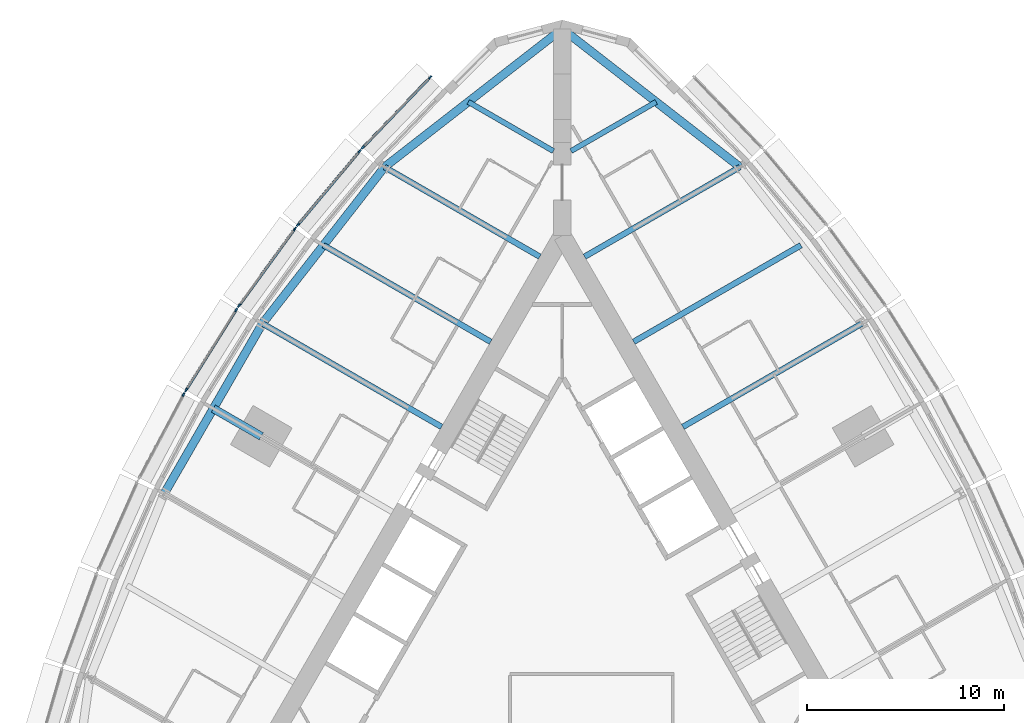
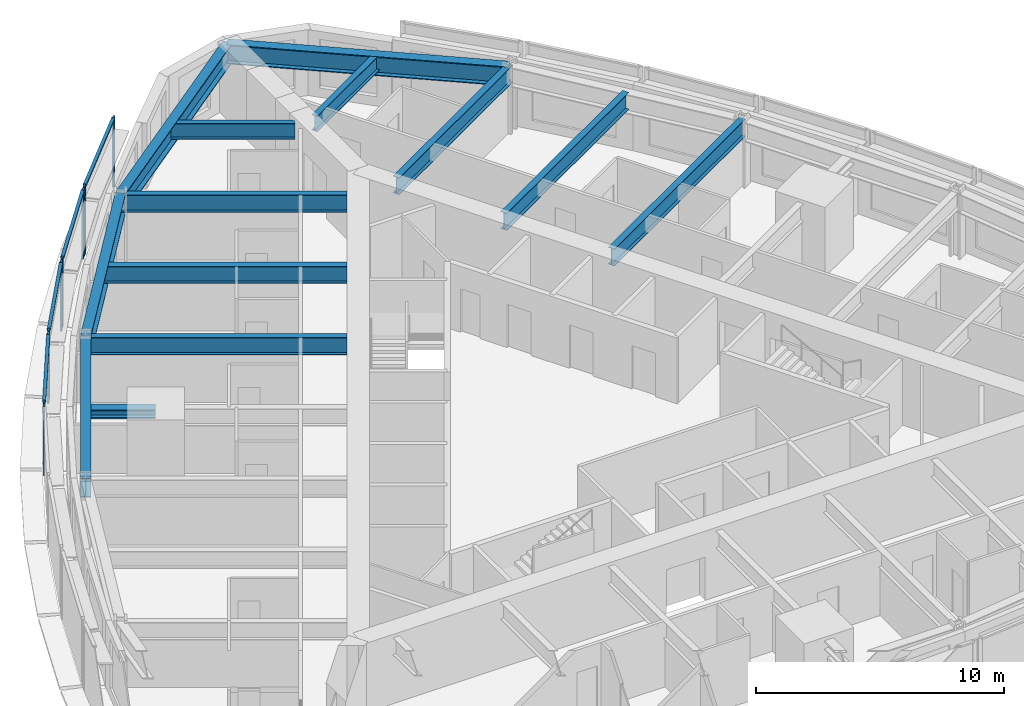
# One storey, part 4 of 14: 13 beams, 13 members, 5 elements without a shape of their own.
"""IFC4 building model written with IfcOpenShell, lengths in metres."""

from ifc_helpers import new_model, si_unit, direction, frame, origin, origin_2d, place, context, subcontext, project, spatial, rectangle, i_section, extrude, material, material_profile, profile_set, type_object, element, aggregate, save


model = new_model("IFC4")

# Units and contexts
model_context = context("Model", 3, precision=1e-05, world=origin(), true_north=direction((0.0, 1.0)))
body_context = subcontext(model_context, "Body", "Model", "MODEL_VIEW")
ifc_project = project(units=[si_unit("LENGTHUNIT", "METRE"), si_unit("AREAUNIT", "SQUARE_METRE"), si_unit("VOLUMEUNIT", "CUBIC_METRE"), si_unit("PLANEANGLEUNIT", "RADIAN"), si_unit("MASSUNIT", "GRAM", prefix="KILO")], contexts=[model_context])

# Site, building, storey
site_placement = place(None, origin())
site = spatial("IfcSite", under=ifc_project, at=site_placement, CompositionType="ELEMENT")
building_placement = place(site_placement, origin())
building = spatial("IfcBuilding", under=site, at=building_placement, Name="Trikona Tower", CompositionType="ELEMENT")
storey_placement = place(building_placement, frame((0.0, 0.0, 124.89990234375)))
storey = spatial("IfcBuildingStorey", under=building, at=storey_placement, Name="L32", CompositionType="ELEMENT", Elevation=124.89990234375)

# Curtain wall, members
ifc_material_1 = material(Name="Aluminium curtain wall system", Category="aluminium")
curtain_wall_type = type_object("IfcCurtainWallType", Name="Curtain wall DS2", PredefinedType="NOTDEFINED", material=ifc_material_1)
curtain_wall_1_placement = place(storey_placement, origin())
curtain_wall_1 = element("IfcCurtainWall", 1, at=curtain_wall_1_placement, inside=storey, type_object=curtain_wall_type, Name="Curtain wall DS2 L32", PredefinedType="NOTDEFINED")
ifc_material_2 = material(Name="Aluminium mullion, pale anodised", Category="aluminium")
ifc_material_profile_1 = material_profile(ifc_material_2, rectangle(XDim=0.080078125, YDim=0.199951171875, at=origin_2d()), Name="MUL-DS2")
ifc_profile_set_1 = profile_set([ifc_material_profile_1], Name="Aluminium mullion, pale anodised")
member_type_1 = type_object("IfcMemberType", Name="Mullion DS2 80x200", PredefinedType="MULLION", material=ifc_profile_set_1)
member_1_placement = place(storey_placement, frame((-6.718994140625, 27.1083984375, 0.0), z_axis=(0.0, 0.0, 1.0), x_axis=(0.722158330767, -0.691727797117, 0.0)))
member_1 = element("IfcMember", 2, at=member_1_placement, type_object=member_type_1, Name="CW-DS2 mullion 1", PredefinedType="MULLION", context=body_context, shape_type="SweptSolid", body=[
    extrude(rectangle(XDim=0.080078125, YDim=0.199951171875, at=origin_2d()), origin(), (0.0, 0.0, 1.0), 3.400146484375),
])
member_2_placement = place(storey_placement, frame((-10.1416015625, 23.535400390625, 0.0), z_axis=(0.0, 0.0, 1.0), x_axis=(0.722158330767, -0.691727797117, 0.0)))
member_2 = element("IfcMember", 3, at=member_2_placement, type_object=member_type_1, Name="CW-DS2 mullion 2", PredefinedType="MULLION", context=body_context, shape_type="SweptSolid", body=[
    extrude(rectangle(XDim=0.080078125, YDim=0.199951171875, at=origin_2d()), origin(), (0.0, 0.0, 1.0), 3.400146484375),
])

curtain_wall_2_placement = place(storey_placement, origin())
curtain_wall_2 = element("IfcCurtainWall", 4, at=curtain_wall_2_placement, inside=storey, type_object=curtain_wall_type, Name="Curtain wall DS2 L32", PredefinedType="NOTDEFINED")
member_3_placement = place(storey_placement, frame((-10.315185546875, 23.34130859375, 0.0), z_axis=(0.0, 0.0, 1.0), x_axis=(0.766866678271, -0.641806433248, 0.0)))
member_3 = element("IfcMember", 5, at=member_3_placement, type_object=member_type_1, Name="CW-DS2 mullion 1", PredefinedType="MULLION", context=body_context, shape_type="SweptSolid", body=[
    extrude(rectangle(XDim=0.080078125, YDim=0.199951171875, at=origin_2d()), origin(), (0.0, 0.0, 1.0), 3.400146484375),
])
member_4_placement = place(storey_placement, frame((-13.44482421875, 19.602294921875, 0.0), z_axis=(0.0, 0.0, 1.0), x_axis=(0.766866678271, -0.641806433248, 0.0)))
member_4 = element("IfcMember", 6, at=member_4_placement, type_object=member_type_1, Name="CW-DS2 mullion 2", PredefinedType="MULLION", context=body_context, shape_type="SweptSolid", body=[
    extrude(rectangle(XDim=0.080078125, YDim=0.199951171875, at=origin_2d()), origin(), (0.0, 0.0, 1.0), 3.400146484375),
])

curtain_wall_3_placement = place(storey_placement, origin())
curtain_wall_3 = element("IfcCurtainWall", 7, at=curtain_wall_3_placement, inside=storey, type_object=curtain_wall_type, Name="Curtain wall DS2 L32", PredefinedType="NOTDEFINED")
member_5_placement = place(storey_placement, frame((-13.605712890625, 19.39599609375, 0.0), z_axis=(0.0, 0.0, 1.0), x_axis=(0.80908576332, -0.587690588313, 0.0)))
member_5 = element("IfcMember", 8, at=member_5_placement, type_object=member_type_1, Name="CW-DS2 mullion 1", PredefinedType="MULLION", context=body_context, shape_type="SweptSolid", body=[
    extrude(rectangle(XDim=0.080078125, YDim=0.199951171875, at=origin_2d()), origin(), (0.0, 0.0, 1.0), 3.400146484375),
])
member_6_placement = place(storey_placement, frame((-16.442626953125, 15.489990234375, 0.0), z_axis=(0.0, 0.0, 1.0), x_axis=(0.80908576332, -0.587690588313, 0.0)))
member_6 = element("IfcMember", 9, at=member_6_placement, type_object=member_type_1, Name="CW-DS2 mullion 2", PredefinedType="MULLION", context=body_context, shape_type="SweptSolid", body=[
    extrude(rectangle(XDim=0.080078125, YDim=0.199951171875, at=origin_2d()), origin(), (0.0, 0.0, 1.0), 3.400146484375),
])

curtain_wall_4_placement = place(storey_placement, origin())
curtain_wall_4 = element("IfcCurtainWall", 10, at=curtain_wall_4_placement, inside=storey, type_object=curtain_wall_type, Name="Curtain wall DS2 L32", PredefinedType="NOTDEFINED")
member_7_placement = place(storey_placement, frame((-16.589599609375, 15.2724609375, 0.0), z_axis=(0.0, 0.0, 1.0), x_axis=(0.847998304006, -0.529998940002, 0.0)))
member_7 = element("IfcMember", 11, at=member_7_placement, type_object=member_type_1, Name="CW-DS2 mullion 1", PredefinedType="MULLION", context=body_context, shape_type="SweptSolid", body=[
    extrude(rectangle(XDim=0.080078125, YDim=0.199951171875, at=origin_2d()), origin(), (0.0, 0.0, 1.0), 3.400146484375),
])
member_8_placement = place(storey_placement, frame((-19.135009765625, 11.199462890625, 0.0), z_axis=(0.0, 0.0, 1.0), x_axis=(0.847998304006, -0.529998940002, 0.0)))
member_8 = element("IfcMember", 12, at=member_8_placement, type_object=member_type_1, Name="CW-DS2 mullion 2", PredefinedType="MULLION", context=body_context, shape_type="SweptSolid", body=[
    extrude(rectangle(XDim=0.080078125, YDim=0.199951171875, at=origin_2d()), origin(), (0.0, 0.0, 1.0), 3.400146484375),
])

# Curtain wall, member
curtain_wall_5_placement = place(storey_placement, origin())
curtain_wall_5 = element("IfcCurtainWall", 13, at=curtain_wall_5_placement, inside=storey, type_object=curtain_wall_type, Name="Curtain wall DS2 L32", PredefinedType="NOTDEFINED")
member_9_placement = place(storey_placement, frame((-19.2666015625, 10.9716796875, 0.0), z_axis=(0.0, 0.0, 1.0), x_axis=(0.882996107343, -0.469380308937, 0.0)))
member_9 = element("IfcMember", 14, at=member_9_placement, type_object=member_type_1, Name="CW-DS2 mullion 1", PredefinedType="MULLION", context=body_context, shape_type="SweptSolid", body=[
    extrude(rectangle(XDim=0.080078125, YDim=0.199951171875, at=origin_2d()), origin(), (0.0, 0.0, 1.0), 3.400146484375),
])
aggregate(curtain_wall_5, [member_9])

# Beams
ifc_material_3 = material(Name="Steel ASTM A992 Grade 50", Category="steel")
ifc_material_profile_2 = material_profile(ifc_material_3, i_section(OverallWidth=0.419189453125, OverallDepth=0.45458984375, WebThickness=0.042236328125, FlangeThickness=0.067626953125, at=origin_2d()), Name="W14X370")
ifc_profile_set_2 = profile_set([ifc_material_profile_2], Name="Steel ASTM A992 Grade 50")
beam_type_1 = type_object("IfcBeamType", Name="Steel beam W14x370 (apex bracket)", PredefinedType="BEAM", material=ifc_profile_set_2)
beam_1_placement = place(storey_placement, frame((-15.311767578125, 8.84033203125, 3.0078125), z_axis=(-0.86605005072, 0.499957307824, 0.0), x_axis=(-0.499957307824, -0.86605005072, 0.0)))
element("IfcBeam", 15, at=beam_1_placement, inside=storey, type_object=beam_type_1, Name="Cantilever bracket L33 F3", PredefinedType="BEAM", context=body_context, shape_type="SweptSolid", body=[
    extrude(i_section(OverallWidth=0.419189453125, OverallDepth=0.45458984375, WebThickness=0.042236328125, FlangeThickness=0.067626953125, at=origin_2d()), origin(), (0.0, 0.0, 1.0), 2.819580078125),
])
ifc_material_4 = material(Name="Steel ASTM A992 Grade 50", Category="steel")
ifc_material_profile_3 = material_profile(ifc_material_4, i_section(OverallWidth=0.2666015625, OverallDepth=0.76953125, WebThickness=0.015625, FlangeThickness=0.025390625, at=origin_2d()), Name="W30X132")
ifc_profile_set_3 = profile_set([ifc_material_profile_3], Name="Steel ASTM A992 Grade 50")
beam_type_2 = type_object("IfcBeamType", Name="Steel beam W30x132 (wedge)", PredefinedType="BEAM", material=ifc_profile_set_3)
for number, where, z_axis, x_axis, name in (
    (16, (0.449951171875, 23.353759765625, 2.850341796875), (0.866038434829, 0.49997742889, 0.0), (-0.49997742889, 0.866038434829, 0.0), "Floor beam L33 F2 u20"),
    (17, (-0.449951171875, 23.353759765625, 2.850341796875), (-0.866038434829, 0.49997742889, 0.0), (-0.49997742889, -0.866038434829, 0.0), "Floor beam L33 F3 u-20"),
):
    element("IfcBeam", number, at=place(storey_placement, frame(where, z_axis=z_axis, x_axis=x_axis)), inside=storey, type_object=beam_type_2, Name=name, PredefinedType="BEAM", context=body_context, shape_type="SweptSolid", body=[
        extrude(i_section(OverallWidth=0.2666015625, OverallDepth=0.76953125, WebThickness=0.015625, FlangeThickness=0.025390625, at=origin_2d()), origin(), (0.0, 0.0, 1.0), 5.000732421875),
    ])
ifc_material_5 = material(Name="Steel ASTM A992 Grade 50", Category="steel")
ifc_material_profile_4 = material_profile(ifc_material_5, i_section(OverallWidth=0.2919921875, OverallDepth=0.845703125, WebThickness=0.015380859375, FlangeThickness=0.0244140625, at=origin_2d()), Name="W33X141")
ifc_profile_set_4 = profile_set([ifc_material_profile_4], Name="Steel ASTM A992 Grade 50")
beam_type_3 = type_object("IfcBeamType", Name="Steel beam W33x141 (radial typ)", PredefinedType="BEAM", material=ifc_profile_set_4)
beam_2_placement = place(storey_placement, frame((6.1396484375, 9.318359375, 2.812255859375), z_axis=(0.866036080828, 0.499981506362, 0.0), x_axis=(-0.499981506362, 0.866036080828, 0.0)))
element("IfcBeam", 18, at=beam_2_placement, inside=storey, type_object=beam_type_3, Name="Floor beam L33 F2 u5", PredefinedType="BEAM", context=body_context, shape_type="SweptSolid", body=[
    extrude(i_section(OverallWidth=0.2919921875, OverallDepth=0.845703125, WebThickness=0.015380859375, FlangeThickness=0.0244140625, at=origin_2d()), origin(), (0.0, 0.0, 1.0), 10.52392578125),
])
beam_3_placement = place(storey_placement, frame((3.6396484375, 13.6484375, 2.812255859375), z_axis=(0.866030807744, 0.499990639951, 0.0), x_axis=(-0.499990639951, 0.866030807744, 0.0)))
element("IfcBeam", 19, at=beam_3_placement, inside=storey, type_object=beam_type_3, Name="Floor beam L33 F2 u10", PredefinedType="BEAM", context=body_context, shape_type="SweptSolid", body=[
    extrude(i_section(OverallWidth=0.2919921875, OverallDepth=0.845703125, WebThickness=0.015380859375, FlangeThickness=0.0244140625, at=origin_2d()), origin(), (0.0, 0.0, 1.0), 9.823974609375),
])
for number, where, z_axis, x_axis, name in (
    (20, (1.1396484375, 17.978515625, 2.812255859375), (0.866024725532, 0.500001174766, 0.0), (-0.500001174766, 0.866024725532, 0.0), "Floor beam L33 F2 u15"),
    (21, (-1.1396484375, 17.978515625, 2.812255859375), (-0.866024725532, 0.500001174766, 0.0), (-0.500001174766, -0.866024725532, 0.0), "Floor beam L33 F3 u-15"),
):
    element("IfcBeam", number, at=place(storey_placement, frame(where, z_axis=z_axis, x_axis=x_axis)), inside=storey, type_object=beam_type_3, Name=name, PredefinedType="BEAM", context=body_context, shape_type="SweptSolid", body=[
        extrude(i_section(OverallWidth=0.2919921875, OverallDepth=0.845703125, WebThickness=0.015380859375, FlangeThickness=0.0244140625, at=origin_2d()), origin(), (0.0, 0.0, 1.0), 9.1240234375),
    ])
beam_4_placement = place(storey_placement, frame((-3.6396484375, 13.6484375, 2.812255859375), z_axis=(-0.866030807744, 0.499990639951, 0.0), x_axis=(-0.499990639951, -0.866030807744, 0.0)))
element("IfcBeam", 22, at=beam_4_placement, inside=storey, type_object=beam_type_3, Name="Floor beam L33 F3 u-10", PredefinedType="BEAM", context=body_context, shape_type="SweptSolid", body=[
    extrude(i_section(OverallWidth=0.2919921875, OverallDepth=0.845703125, WebThickness=0.015380859375, FlangeThickness=0.0244140625, at=origin_2d()), origin(), (0.0, 0.0, 1.0), 9.823974609375),
])
beam_5_placement = place(storey_placement, frame((-6.1396484375, 9.318359375, 2.812255859375), z_axis=(-0.866036080828, 0.499981506362, 0.0), x_axis=(-0.499981506362, -0.866036080828, 0.0)))
element("IfcBeam", 23, at=beam_5_placement, inside=storey, type_object=beam_type_3, Name="Floor beam L33 F3 u-5", PredefinedType="BEAM", context=body_context, shape_type="SweptSolid", body=[
    extrude(i_section(OverallWidth=0.2919921875, OverallDepth=0.845703125, WebThickness=0.015380859375, FlangeThickness=0.0244140625, at=origin_2d()), origin(), (0.0, 0.0, 1.0), 10.52392578125),
])
ifc_material_6 = material(Name="Steel ASTM A992 Grade 50", Category="steel")
ifc_material_profile_5 = material_profile(ifc_material_6, i_section(OverallWidth=0.424072265625, OverallDepth=0.947509765625, WebThickness=0.02392578125, FlangeThickness=0.042724609375, at=origin_2d()), Name="W36X302")
ifc_profile_set_5 = profile_set([ifc_material_profile_5], Name="Steel ASTM A992 Grade 50")
beam_type_4 = type_object("IfcBeamType", Name="Steel beam W36x302 (spandrel)", PredefinedType="SPANDREL", material=ifc_profile_set_5)
for number, where, z_axis, x_axis, name in (
    (24, (9.041259765625, 22.54052734375, 2.761474609375), (-0.789367137808, 0.613921429621, 0.0), (-0.613921429621, -0.789367137808, 0.0), "Spandrel beam L33 F2-5"),
    (25, (0.0, 29.572265625, 2.761474609375), (-0.789367137808, -0.613921429621, 0.0), (0.613921429621, -0.789367137808, 0.0), "Spandrel beam L33 F3-1"),
):
    element("IfcBeam", number, at=place(storey_placement, frame(where, z_axis=z_axis, x_axis=x_axis)), inside=storey, type_object=beam_type_4, Name=name, PredefinedType="SPANDREL", context=body_context, shape_type="SweptSolid", body=[
        extrude(i_section(OverallWidth=0.424072265625, OverallDepth=0.947509765625, WebThickness=0.02392578125, FlangeThickness=0.042724609375, at=origin_2d()), origin(), (0.0, 0.0, 1.0), 11.453857421875),
    ])
beam_6_placement = place(storey_placement, frame((-9.041259765625, 22.54052734375, 2.761474609375), z_axis=(-0.615232009054, -0.788346101046, 0.0), x_axis=(0.788346101046, -0.615232009054, 0.0)))
element("IfcBeam", 26, at=beam_6_placement, inside=storey, type_object=beam_type_4, Name="Spandrel beam L33 F3-2", PredefinedType="SPANDREL", context=body_context, shape_type="SweptSolid", body=[
    extrude(i_section(OverallWidth=0.424072265625, OverallDepth=0.947509765625, WebThickness=0.02392578125, FlangeThickness=0.042724609375, at=origin_2d()), origin(), (0.0, 0.0, 1.0), 10.09765625),
])
beam_7_placement = place(storey_placement, frame((-15.253662109375, 14.580078125, 2.761474609375), z_axis=(-0.500004234368, -0.866022959057, 0.0), x_axis=(0.866022959057, -0.500004234368, 0.0)))
element("IfcBeam", 27, at=beam_7_placement, inside=storey, type_object=beam_type_4, Name="Spandrel beam L33 F3-3", PredefinedType="SPANDREL", context=body_context, shape_type="SweptSolid", body=[
    extrude(i_section(OverallWidth=0.424072265625, OverallDepth=0.947509765625, WebThickness=0.02392578125, FlangeThickness=0.042724609375, at=origin_2d()), origin(), (0.0, 0.0, 1.0), 10.0),
])

# Member
ifc_material_7 = material(Name="Aluminium transom, pale anodised", Category="aluminium")
ifc_material_profile_6 = material_profile(ifc_material_7, rectangle(XDim=0.139892578125, YDim=0.080078125, at=origin_2d()), Name="TRN-DS2")
ifc_profile_set_6 = profile_set([ifc_material_profile_6], Name="Aluminium transom, pale anodised")
member_type_2 = type_object("IfcMemberType", Name="Transom DS2 80x140", PredefinedType="USERDEFINED", material=ifc_profile_set_6)
member_10_placement = place(storey_placement, frame((-6.746826171875, 27.07958984375, 3.360107421875), z_axis=(-0.691721246785, -0.722164605022, 0.0), x_axis=(0.722164605022, -0.691721246785, 0.0)))
member_10 = element("IfcMember", 28, at=member_10_placement, type_object=member_type_2, Name="CW-DS2 transom 1.1", ObjectType="TRANSOM", PredefinedType="USERDEFINED", context=body_context, shape_type="SweptSolid", body=[
    extrude(rectangle(XDim=0.139892578125, YDim=0.080078125, at=origin_2d()), origin(), (0.0, 0.0, 1.0), 4.867919921875),
])

aggregate(curtain_wall_1, [member_1, member_2, member_10])

member_11_placement = place(storey_placement, frame((-10.341064453125, 23.310791015625, 3.360107421875), z_axis=(-0.641770294892, -0.766896921753, 0.0), x_axis=(0.766896921753, -0.641770294892, 0.0)))
member_11 = element("IfcMember", 29, at=member_11_placement, type_object=member_type_2, Name="CW-DS2 transom 1.1", ObjectType="TRANSOM", PredefinedType="USERDEFINED", context=body_context, shape_type="SweptSolid", body=[
    extrude(rectangle(XDim=0.139892578125, YDim=0.080078125, at=origin_2d()), origin(), (0.0, 0.0, 1.0), 4.7958984375),
])

aggregate(curtain_wall_2, [member_3, member_4, member_11])

member_12_placement = place(storey_placement, frame((-13.629150390625, 19.363525390625, 3.360107421875), z_axis=(-0.587694585883, -0.809082859616, 0.0), x_axis=(0.809082859616, -0.587694585883, 0.0)))
member_12 = element("IfcMember", 30, at=member_12_placement, type_object=member_type_2, Name="CW-DS2 transom 1.1", ObjectType="TRANSOM", PredefinedType="USERDEFINED", context=body_context, shape_type="SweptSolid", body=[
    extrude(rectangle(XDim=0.139892578125, YDim=0.080078125, at=origin_2d()), origin(), (0.0, 0.0, 1.0), 4.747314453125),
])

aggregate(curtain_wall_3, [member_5, member_6, member_12])

member_13_placement = place(storey_placement, frame((-16.610595703125, 15.238525390625, 3.360107421875), z_axis=(-0.530031463794, -0.847977975769, 0.0), x_axis=(0.847977975769, -0.530031463794, 0.0)))
member_13 = element("IfcMember", 31, at=member_13_placement, type_object=member_type_2, Name="CW-DS2 transom 1.1", ObjectType="TRANSOM", PredefinedType="USERDEFINED", context=body_context, shape_type="SweptSolid", body=[
    extrude(rectangle(XDim=0.139892578125, YDim=0.080078125, at=origin_2d()), origin(), (0.0, 0.0, 1.0), 4.72314453125),
])

aggregate(curtain_wall_4, [member_7, member_8, member_13])

save(model, "model.ifc")
